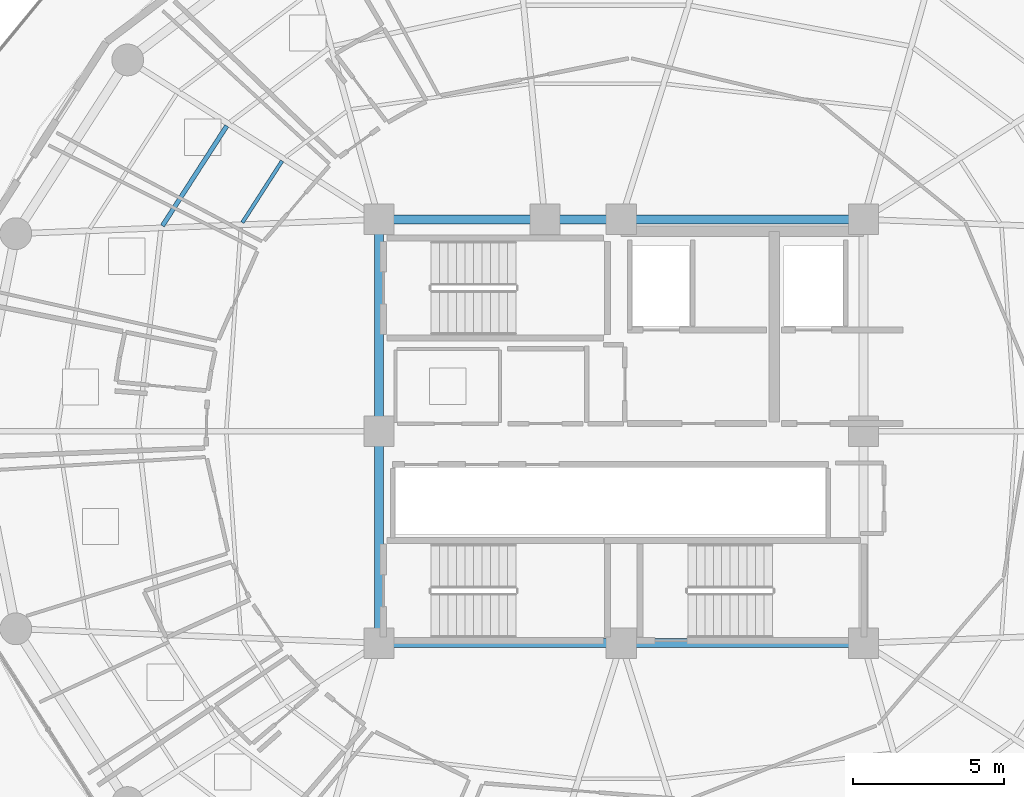
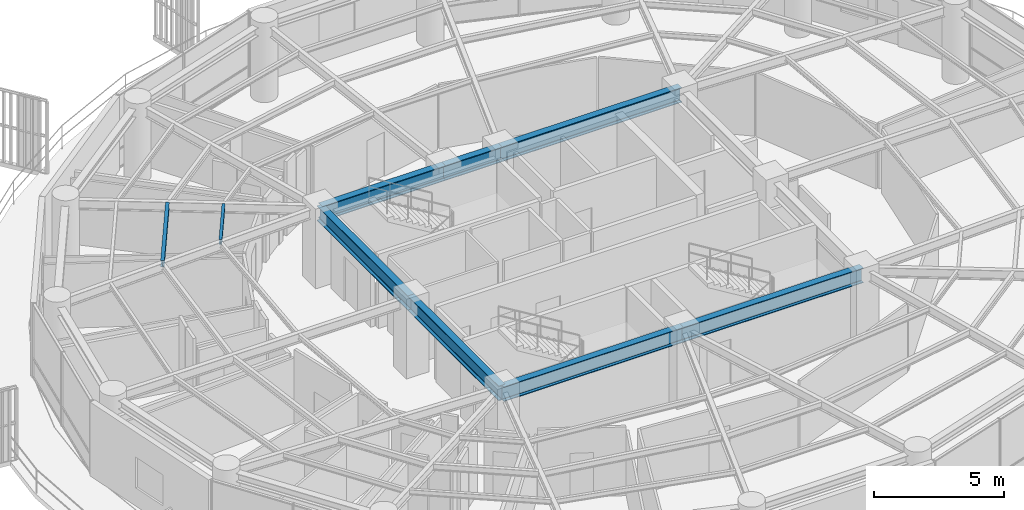
# One storey, part 9 of 31: 9 beams.
"""IFC4 building model written with IfcOpenShell, lengths in metres."""

from ifc_helpers import new_model, si_unit, direction, frame, origin, origin_2d, place, context, subcontext, project, spatial, i_section, extrude, material, material_profile, profile_set, type_object, element, save


model = new_model("IFC4")

# Units and contexts
model_context = context("Model", 3, precision=1e-05, world=origin(), true_north=direction((0.0, 1.0)))
body_context = subcontext(model_context, "Body", "Model", "MODEL_VIEW")
ifc_project = project(units=[si_unit("LENGTHUNIT", "METRE"), si_unit("AREAUNIT", "SQUARE_METRE"), si_unit("VOLUMEUNIT", "CUBIC_METRE"), si_unit("PLANEANGLEUNIT", "RADIAN"), si_unit("MASSUNIT", "GRAM", prefix="KILO")], contexts=[model_context])

# Site, building, storey
site_placement = place(None, origin())
site = spatial("IfcSite", under=ifc_project, at=site_placement, CompositionType="ELEMENT")
building_placement = place(site_placement, origin())
building = spatial("IfcBuilding", under=site, at=building_placement, Name="Kelanora Arch Commons", CompositionType="ELEMENT")
storey_placement = place(building_placement, frame((0.0, 0.0, 230.699951171875)))
storey = spatial("IfcBuildingStorey", under=building, at=storey_placement, Name="L59", CompositionType="ELEMENT", Elevation=230.699951171875)

# Beams
ifc_material = material(Name="Steel S355", Category="steel")
ifc_material_profile_1 = material_profile(ifc_material, i_section(OverallWidth=0.300048828125, OverallDepth=0.699951171875, WebThickness=0.01708984375, FlangeThickness=0.031982421875, FilletRadius=0.027099609375, at=origin_2d()), Name="HEB700")
ifc_profile_set_1 = profile_set([ifc_material_profile_1], Name="Steel S355")
beam_type_1 = type_object("IfcBeamType", Name="BM-CORE-HDR", PredefinedType="BEAM", material=ifc_profile_set_1)
for number, where, z_axis, x_axis, name in (
    (1, (66.0, 51.0, 3.14013671875), (1.0, 0.0, 0.0), (0.0, 1.0, 0.0), "Core Header Beam 01 L59"),
    (2, (74.0, 51.0, 3.14013671875), (1.0, 0.0, 0.0), (0.0, 1.0, 0.0), "Core Header Beam 02 L59"),
    (3, (82.0, 65.0, 3.14013671875), (-1.0, 0.0, 0.0), (0.0, -1.0, 0.0), "Core Header Beam 05 L59"),
):
    element("IfcBeam", number, at=place(storey_placement, frame(where, z_axis=z_axis, x_axis=x_axis)), inside=storey, type_object=beam_type_1, Name=name, PredefinedType="BEAM", context=body_context, shape_type="SweptSolid", body=[
        extrude(i_section(OverallWidth=0.300048828125, OverallDepth=0.699951171875, WebThickness=0.01708984375, FlangeThickness=0.031982421875, FilletRadius=0.027099609375, at=origin_2d()), origin(), (0.0, 0.0, 1.0), 8.0),
    ])
beam_1_placement = place(storey_placement, frame((74.0, 65.0, 3.14013671875), z_axis=(-1.0, 0.0, 0.0), x_axis=(0.0, -1.0, 0.0)))
element("IfcBeam", 4, at=beam_1_placement, inside=storey, type_object=beam_type_1, Name="Core Header Beam 06 L59", PredefinedType="BEAM", context=body_context, shape_type="SweptSolid", body=[
    extrude(i_section(OverallWidth=0.300048828125, OverallDepth=0.699951171875, WebThickness=0.01708984375, FlangeThickness=0.031982421875, FilletRadius=0.027099609375, at=origin_2d()), origin(), (0.0, 0.0, 1.0), 2.52001953125),
])
beam_2_placement = place(storey_placement, frame((71.47998046875, 65.0, 3.14013671875), z_axis=(-1.0, 0.0, 0.0), x_axis=(0.0, -1.0, 0.0)))
element("IfcBeam", 5, at=beam_2_placement, inside=storey, type_object=beam_type_1, Name="Core Header Beam 07 L59", PredefinedType="BEAM", context=body_context, shape_type="SweptSolid", body=[
    extrude(i_section(OverallWidth=0.300048828125, OverallDepth=0.699951171875, WebThickness=0.01708984375, FlangeThickness=0.031982421875, FilletRadius=0.027099609375, at=origin_2d()), origin(), (0.0, 0.0, 1.0), 5.47998046875),
])
for number, where, z_axis, x_axis, name in (
    (6, (66.0, 65.0, 3.14013671875), (0.0, -1.0, 0.0), (1.0, 0.0, 0.0), "Core Header Beam 08 L59"),
    (7, (66.0, 58.0, 3.14013671875), (0.0, -1.0, 0.0), (1.0, 0.0, 0.0), "Core Header Beam 09 L59"),
):
    element("IfcBeam", number, at=place(storey_placement, frame(where, z_axis=z_axis, x_axis=x_axis)), inside=storey, type_object=beam_type_1, Name=name, PredefinedType="BEAM", context=body_context, shape_type="SweptSolid", body=[
        extrude(i_section(OverallWidth=0.300048828125, OverallDepth=0.699951171875, WebThickness=0.01708984375, FlangeThickness=0.031982421875, FilletRadius=0.027099609375, at=origin_2d()), origin(), (0.0, 0.0, 1.0), 7.0),
    ])
ifc_material_profile_2 = material_profile(ifc_material, i_section(OverallWidth=0.14990234375, OverallDepth=0.300048828125, WebThickness=0.007080078125, FlangeThickness=0.0107421875, FilletRadius=0.014892578125, at=origin_2d()), Name="IPE300")
ifc_profile_set_2 = profile_set([ifc_material_profile_2], Name="Steel S355")
beam_type_2 = type_object("IfcBeamType", Name="BM-JST-01", PredefinedType="JOIST", material=ifc_profile_set_2)
beam_3_placement = place(storey_placement, frame((60.97314453125, 68.087158203125, 3.340087890625), z_axis=(-0.541411265892, -0.840757896879, 0.0), x_axis=(0.840757896879, -0.541411265892, 0.0)))
element("IfcBeam", 8, at=beam_3_placement, inside=storey, type_object=beam_type_2, Name="Secondary Chord Joist BJB-14 L59", PredefinedType="JOIST", context=body_context, shape_type="SweptSolid", body=[
    extrude(i_section(OverallWidth=0.14990234375, OverallDepth=0.300048828125, WebThickness=0.007080078125, FlangeThickness=0.0107421875, FilletRadius=0.014892578125, at=origin_2d()), origin(), (0.0, 0.0, 1.0), 3.92529296875),
])
ifc_material_profile_3 = material_profile(ifc_material, i_section(OverallWidth=0.1201171875, OverallDepth=0.239990234375, WebThickness=0.006103515625, FlangeThickness=0.009765625, FilletRadius=0.014892578125, at=origin_2d()), Name="IPE240")
ifc_profile_set_3 = profile_set([ifc_material_profile_3], Name="Steel S355")
beam_type_3 = type_object("IfcBeamType", Name="BM-JST-02", PredefinedType="JOIST", material=ifc_profile_set_3)
beam_4_placement = place(storey_placement, frame((62.79931640625, 66.928955078125, 3.3701171875), z_axis=(-0.541332763503, -0.840808443796, 0.0), x_axis=(0.840808443796, -0.541332763503, 0.0)))
element("IfcBeam", 9, at=beam_4_placement, inside=storey, type_object=beam_type_3, Name="Secondary Chord Joist BJA-14 L59", PredefinedType="JOIST", context=body_context, shape_type="SweptSolid", body=[
    extrude(i_section(OverallWidth=0.1201171875, OverallDepth=0.239990234375, WebThickness=0.006103515625, FlangeThickness=0.009765625, FilletRadius=0.014892578125, at=origin_2d()), origin(), (0.0, 0.0, 1.0), 2.423583984375),
])

save(model, "model.ifc")
